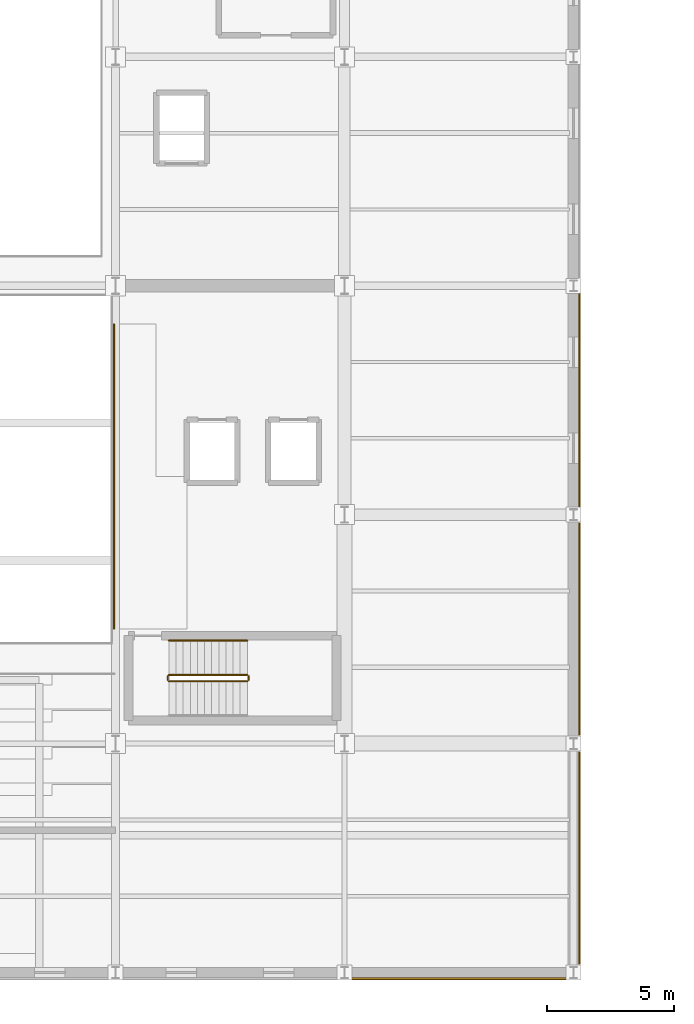
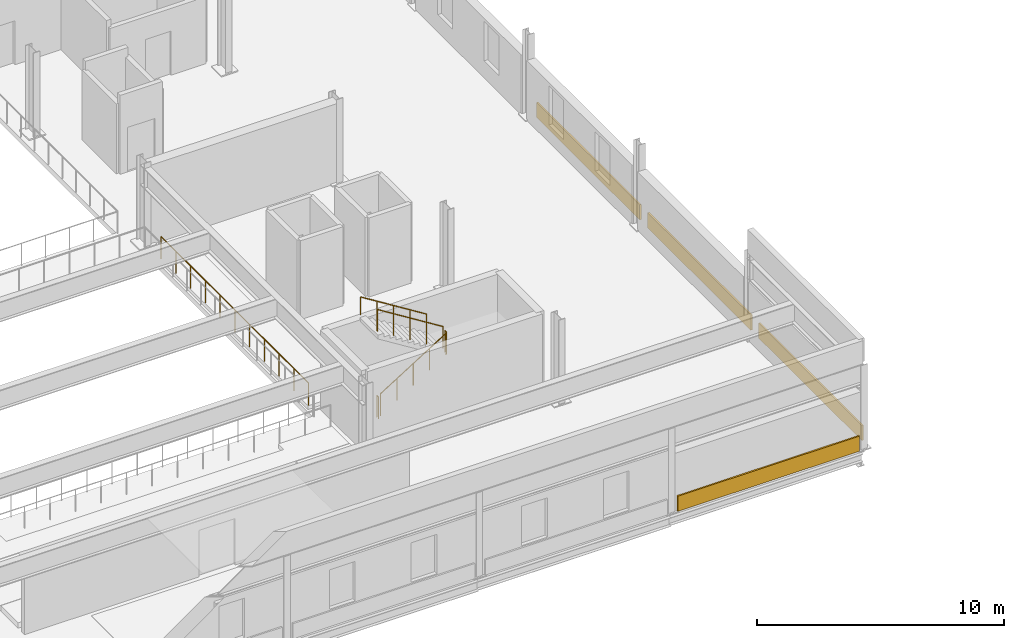
# One storey, part 13 of 17: 6 railings, 4 coverings.
"""IFC4 building model written with IfcOpenShell, lengths in metres."""

from ifc_helpers import new_model, si_unit, direction, frame, origin, origin_2d, place, context, subcontext, project, spatial, rectangle, circle, extrude, material, layer, layer_set, type_object, element, save


model = new_model("IFC4")

# Units and contexts
model_context = context("Model", 3, precision=1e-05, world=origin(), true_north=direction((0.0, 1.0)))
body_context = subcontext(model_context, "Body", "Model", "MODEL_VIEW")
ifc_project = project(units=[si_unit("LENGTHUNIT", "METRE"), si_unit("AREAUNIT", "SQUARE_METRE"), si_unit("VOLUMEUNIT", "CUBIC_METRE"), si_unit("PLANEANGLEUNIT", "RADIAN"), si_unit("MASSUNIT", "GRAM", prefix="KILO")], contexts=[model_context])

# Site, building, storey
site_placement = place(None, origin())
site = spatial("IfcSite", under=ifc_project, at=site_placement, CompositionType="ELEMENT")
building_placement = place(site_placement, origin())
building = spatial("IfcBuilding", under=site, at=building_placement, Name="Sundgate Opera House", CompositionType="ELEMENT")
storey_placement = place(building_placement, frame((0.0, 0.0, 26.39990234375)))
storey = spatial("IfcBuildingStorey", under=building, at=storey_placement, Name="L05", CompositionType="ELEMENT", Elevation=26.39990234375)

# Coverings
ifc_material_1 = material(Name="Deep-carved Komstad limestone relief panel", Category="masonry")
ifc_layer_1 = layer(ifc_material_1, 0.094970703125)
ifc_layer_set_1 = layer_set([ifc_layer_1], Name="Deep-carved Komstad limestone relief panel")
covering_type_1 = type_object("IfcCoveringType", Name="CV-TRENC-DEEP", PredefinedType="CLADDING", material=ifc_layer_set_1)
covering_1_placement = place(storey_placement, frame((81.242431640625, 46.5, 0.045166015625), z_axis=(0.0, 0.0, 1.0), x_axis=(0.0, 1.0, 0.0)))
element("IfcCovering", 1, at=covering_1_placement, inside=storey, type_object=covering_type_1, Name="L05 Trencadis 750mm Relief Band CV0088", PredefinedType="CLADDING", context=body_context, shape_type="SweptSolid", body=[
    extrude(rectangle(XDim=8.360107421875, YDim=0.074951171875, at=origin_2d()), origin(), (0.0, 0.0, 1.0), 0.75),
])
ifc_material_2 = material(Name="Frost-proof vitrified stoneware trencadis relief tile", Category="masonry")
ifc_layer_2 = layer(ifc_material_2, 0.074951171875)
ifc_layer_set_2 = layer_set([ifc_layer_2], Name="Frost-proof vitrified stoneware trencadis relief tile")
covering_type_2 = type_object("IfcCoveringType", Name="CV-TRENC-RELIEF", PredefinedType="CLADDING", material=ifc_layer_set_2)
covering_2_placement = place(storey_placement, frame((81.242431640625, 37.5, 0.045166015625), z_axis=(0.0, 0.0, 1.0), x_axis=(0.0, 1.0, 0.0)))
element("IfcCovering", 2, at=covering_2_placement, inside=storey, type_object=covering_type_2, Name="L05 Trencadis 750mm Relief Band CV0086", PredefinedType="CLADDING", context=body_context, shape_type="SweptSolid", body=[
    extrude(rectangle(XDim=8.360107421875, YDim=0.074951171875, at=origin_2d()), origin(), (0.0, 0.0, 1.0), 0.75),
])
ifc_material_3 = material(Name="Polychrome trencadis mosaic panel", Category="masonry")
ifc_layer_3 = layer(ifc_material_3, 0.054931640625)
ifc_layer_set_3 = layer_set([ifc_layer_3], Name="Polychrome trencadis mosaic panel")
covering_type_3 = type_object("IfcCoveringType", Name="CV-TRENC-SLIM", PredefinedType="CLADDING", material=ifc_layer_set_3)
covering_3_placement = place(storey_placement, frame((76.5, 32.757568359375, 0.045166015625), z_axis=(0.0, 0.0, 1.0), x_axis=(1.0, 0.0, 0.0)))
element("IfcCovering", 3, at=covering_3_placement, inside=storey, type_object=covering_type_3, Name="L05 Trencadis 750mm Relief Band CV0083", PredefinedType="CLADDING", context=body_context, shape_type="SweptSolid", body=[
    extrude(rectangle(XDim=8.510009765625, YDim=0.074951171875, at=origin_2d()), origin(), (0.0, 0.0, 1.0), 0.75),
])
covering_4_placement = place(storey_placement, frame((81.242431640625, 55.5, 0.045166015625), z_axis=(0.0, 0.0, 1.0), x_axis=(0.0, 1.0, 0.0)))
element("IfcCovering", 4, at=covering_4_placement, inside=storey, type_object=covering_type_3, Name="L05 Trencadis 750mm Relief Band CV0090", PredefinedType="CLADDING", context=body_context, shape_type="SweptSolid", body=[
    extrude(rectangle(XDim=8.360107421875, YDim=0.074951171875, at=origin_2d()), origin(), (0.0, 0.0, 1.0), 0.75),
])

# Railings
ifc_material_4 = material(Name="Patinated bronze forja metalwork", Category="steel")
railing_type_1 = type_object("IfcRailingType", Name="RL-FORJA-BAL-1100", PredefinedType="BALUSTRADE", material=ifc_material_4)
railing_1_placement = place(storey_placement, frame((62.93994140625, 46.52001953125, 0.18505859375)))
element("IfcRailing", 5, at=railing_1_placement, inside=storey, type_object=railing_type_1, Name="L05 East Opera Box Tier Balustrade RL0319", PredefinedType="BALUSTRADE", context=body_context, shape_type="SweptSolid", body=[
    extrude(circle(Radius=0.02392578125, at=origin_2d()), frame((0.0, 0.0, 1.09619140625), z_axis=(0.0, 1.0, 0.0), x_axis=(-1.0, 0.0, 0.0)), (0.0, 0.0, 1.0), 11.9599609375),
    extrude(circle(Radius=0.02099609375, at=origin_2d()), origin(), (0.0, 0.0, 1.0), 1.072021484375),
    extrude(circle(Radius=0.02099609375, at=origin_2d()), frame((0.0, 1.196044921875, 0.0)), (0.0, 0.0, 1.0), 1.072021484375),
    extrude(circle(Radius=0.02099609375, at=origin_2d()), frame((0.0, 2.39208984375, 0.0)), (0.0, 0.0, 1.0), 1.072021484375),
    extrude(circle(Radius=0.02099609375, at=origin_2d()), frame((0.0, 3.587890625, 0.0)), (0.0, 0.0, 1.0), 1.072021484375),
    extrude(circle(Radius=0.02099609375, at=origin_2d()), frame((0.0, 4.783935546875, 0.0)), (0.0, 0.0, 1.0), 1.072021484375),
    extrude(circle(Radius=0.02099609375, at=origin_2d()), frame((0.0, 5.97998046875, 0.0)), (0.0, 0.0, 1.0), 1.072021484375),
    extrude(circle(Radius=0.02099609375, at=origin_2d()), frame((0.0, 7.176025390625, 0.0)), (0.0, 0.0, 1.0), 1.072021484375),
    extrude(circle(Radius=0.02099609375, at=origin_2d()), frame((0.0, 8.3720703125, 0.0)), (0.0, 0.0, 1.0), 1.072021484375),
    extrude(circle(Radius=0.02099609375, at=origin_2d()), frame((0.0, 9.56787109375, 0.0)), (0.0, 0.0, 1.0), 1.072021484375),
    extrude(circle(Radius=0.02099609375, at=origin_2d()), frame((0.0, 10.763916015625, 0.0)), (0.0, 0.0, 1.0), 1.072021484375),
    extrude(circle(Radius=0.02099609375, at=origin_2d()), frame((0.0, 11.9599609375, 0.0)), (0.0, 0.0, 1.0), 1.072021484375),
])
ifc_material_5 = material(Name="Painted steel S275 guardrail", Category="steel")
railing_type_2 = type_object("IfcRailingType", Name="RL-STAIR-GUARD-1100", PredefinedType="GUARDRAIL", material=ifc_material_5)
railing_2_placement = place(storey_placement, frame((65.10009765625, 44.449951171875, 0.175048828125)))
element("IfcRailing", 6, at=railing_2_placement, inside=storey, type_object=railing_type_2, Name="ST03L05 Guardrail RL0126", PredefinedType="GUARDRAIL", context=body_context, shape_type="SweptSolid", body=[
    extrude(circle(Radius=0.02392578125, at=origin_2d()), frame((0.0, 0.0, 1.076171875), z_axis=(0.847979421464, 0.0, 0.530029150871), x_axis=(0.0, 1.0, 0.0)), (0.0, 0.0, 1.0), 3.632080078125),
    extrude(circle(Radius=0.02099609375, at=origin_2d()), origin(), (0.0, 0.0, 1.0), 1.052001953125),
    extrude(circle(Radius=0.02099609375, at=origin_2d()), frame((0.77001953125, 0.0, 0.481201171875)), (0.0, 0.0, 1.0), 1.052001953125),
    extrude(circle(Radius=0.02099609375, at=origin_2d()), frame((1.5400390625, 0.0, 0.96240234375)), (0.0, 0.0, 1.0), 1.052001953125),
    extrude(circle(Radius=0.02099609375, at=origin_2d()), frame((2.309814453125, 0.0, 1.44384765625)), (0.0, 0.0, 1.0), 1.052001953125),
    extrude(circle(Radius=0.02099609375, at=origin_2d()), frame((3.079833984375, 0.0, 1.925048828125)), (0.0, 0.0, 1.0), 1.052001953125),
])
railing_3_placement = place(storey_placement, frame((68.22998046875, 44.5, 2.10009765625)))
element("IfcRailing", 7, at=railing_3_placement, inside=storey, type_object=railing_type_2, Name="ST03L05 Guardrail RL0127", PredefinedType="GUARDRAIL", context=body_context, shape_type="SweptSolid", body=[
    extrude(circle(Radius=0.02392578125, at=origin_2d()), frame((0.0, 0.0, 1.076171875), z_axis=(0.0, 1.0, 0.0), x_axis=(-1.0, 0.0, 0.0)), (0.0, 0.0, 1.0), 0.14990234375),
    extrude(circle(Radius=0.02099609375, at=origin_2d()), origin(), (0.0, 0.0, 1.0), 1.052001953125),
    extrude(circle(Radius=0.02099609375, at=origin_2d()), frame((0.0, 0.14990234375, 0.0)), (0.0, 0.0, 1.0), 1.052001953125),
])
railing_4_placement = place(storey_placement, frame((68.179931640625, 44.699951171875, 2.275146484375)))
element("IfcRailing", 8, at=railing_4_placement, inside=storey, type_object=railing_type_2, Name="ST03L05 Guardrail RL0128", PredefinedType="GUARDRAIL", context=body_context, shape_type="SweptSolid", body=[
    extrude(circle(Radius=0.02392578125, at=origin_2d()), frame((0.0, 0.0, 1.076171875), z_axis=(-0.847979421464, 0.0, 0.530029150871), x_axis=(0.0, -1.0, 0.0)), (0.0, 0.0, 1.0), 3.632080078125),
    extrude(circle(Radius=0.02099609375, at=origin_2d()), origin(), (0.0, 0.0, 1.0), 1.052001953125),
    extrude(circle(Radius=0.02099609375, at=origin_2d()), frame((-0.77001953125, 0.0, 0.481201171875)), (0.0, 0.0, 1.0), 1.052001953125),
    extrude(circle(Radius=0.02099609375, at=origin_2d()), frame((-1.5400390625, 0.0, 0.96240234375)), (0.0, 0.0, 1.0), 1.052001953125),
    extrude(circle(Radius=0.02099609375, at=origin_2d()), frame((-2.309814453125, 0.0, 1.44384765625)), (0.0, 0.0, 1.0), 1.052001953125),
    extrude(circle(Radius=0.02099609375, at=origin_2d()), frame((-3.079833984375, 0.0, 1.925048828125)), (0.0, 0.0, 1.0), 1.052001953125),
])
railing_5_placement = place(storey_placement, frame((65.050048828125, 44.5, 0.0)))
element("IfcRailing", 9, at=railing_5_placement, inside=storey, type_object=railing_type_2, Name="ST03L05 Guardrail RL0129", PredefinedType="GUARDRAIL", context=body_context, shape_type="SweptSolid", body=[
    extrude(circle(Radius=0.02392578125, at=origin_2d()), frame((0.0, 0.0, 1.076171875), z_axis=(0.0, 1.0, 0.0), x_axis=(-1.0, 0.0, 0.0)), (0.0, 0.0, 1.0), 0.14990234375),
    extrude(circle(Radius=0.02099609375, at=origin_2d()), origin(), (0.0, 0.0, 1.0), 1.052001953125),
    extrude(circle(Radius=0.02099609375, at=origin_2d()), frame((0.0, 0.14990234375, 0.0)), (0.0, 0.0, 1.0), 1.052001953125),
])
ifc_material_6 = material(Name="Brushed stainless steel handrail", Category="steel")
railing_type_3 = type_object("IfcRailingType", Name="RL-STAIR-HAND-900", PredefinedType="HANDRAIL", material=ifc_material_6)
railing_6_placement = place(storey_placement, frame((68.179931640625, 46.050048828125, 2.275146484375)))
element("IfcRailing", 10, at=railing_6_placement, inside=storey, type_object=railing_type_3, Name="ST03L05 Handrail RL0131", PredefinedType="HANDRAIL", context=body_context, shape_type="SweptSolid", body=[
    extrude(circle(Radius=0.02392578125, at=origin_2d()), frame((0.0, 0.0, 0.8759765625), z_axis=(-0.847979421464, 0.0, 0.530029150871), x_axis=(0.0, -1.0, 0.0)), (0.0, 0.0, 1.0), 3.632080078125),
    extrude(circle(Radius=0.02099609375, at=origin_2d()), origin(), (0.0, 0.0, 1.0), 0.851806640625),
    extrude(circle(Radius=0.02099609375, at=origin_2d()), frame((-0.77001953125, 0.0, 0.481201171875)), (0.0, 0.0, 1.0), 0.851806640625),
    extrude(circle(Radius=0.02099609375, at=origin_2d()), frame((-1.5400390625, 0.0, 0.96240234375)), (0.0, 0.0, 1.0), 0.851806640625),
    extrude(circle(Radius=0.02099609375, at=origin_2d()), frame((-2.309814453125, 0.0, 1.44384765625)), (0.0, 0.0, 1.0), 0.851806640625),
    extrude(circle(Radius=0.02099609375, at=origin_2d()), frame((-3.079833984375, 0.0, 1.925048828125)), (0.0, 0.0, 1.0), 0.851806640625),
])

save(model, "model.ifc")
